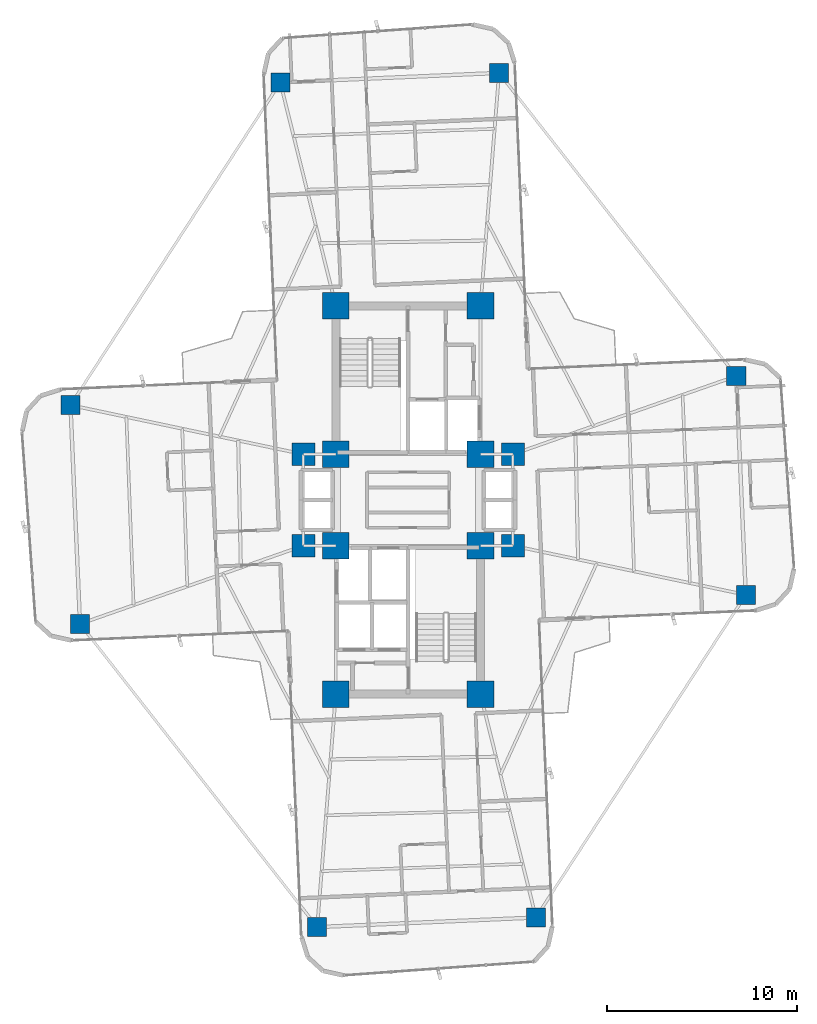
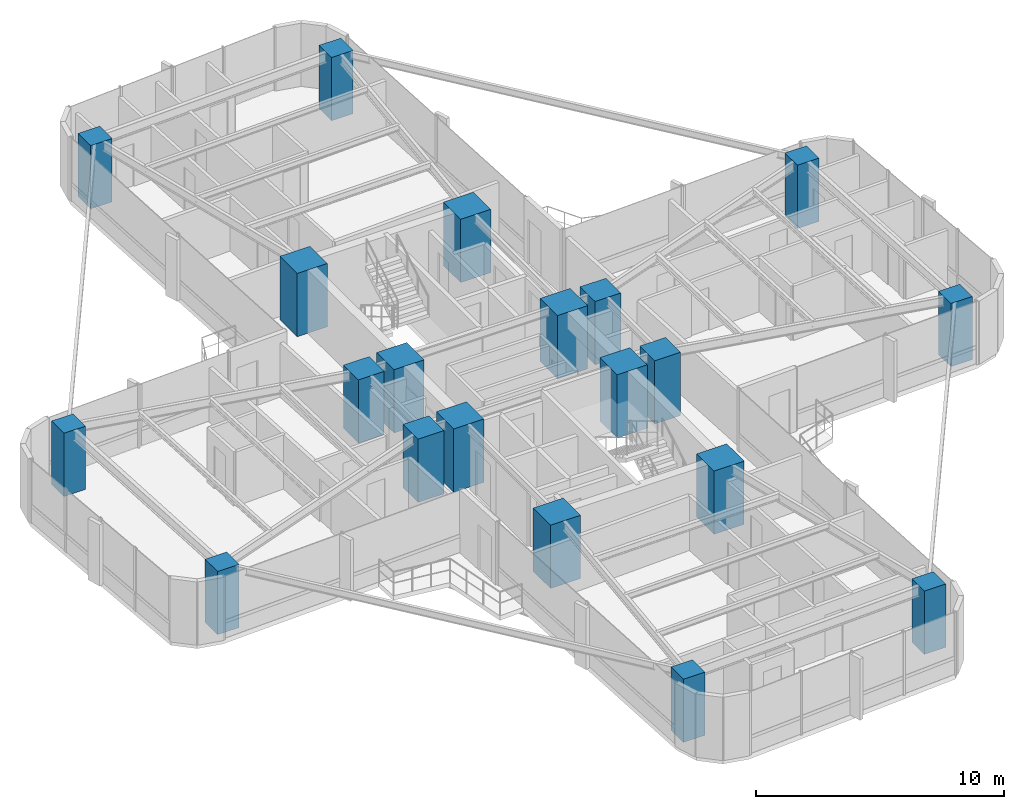
# One storey, part 1 of 26: 20 columns.
"""IFC4 building model written with IfcOpenShell, lengths in metres."""

from ifc_helpers import new_model, si_unit, direction, frame, origin, origin_2d, place, context, subcontext, project, spatial, rectangle, extrude, source, transform, mapped, material, material_profile, profile_set, type_object, element, save


model = new_model("IFC4")

# Units and contexts
model_context = context("Model", 3, precision=1e-05, world=origin(), true_north=direction((0.0, 1.0)))
body_context = subcontext(model_context, "Body", "Model", "MODEL_VIEW")
ifc_project = project(units=[si_unit("LENGTHUNIT", "METRE"), si_unit("AREAUNIT", "SQUARE_METRE"), si_unit("VOLUMEUNIT", "CUBIC_METRE"), si_unit("PLANEANGLEUNIT", "RADIAN"), si_unit("MASSUNIT", "GRAM", prefix="KILO")], contexts=[model_context])

# Site, building, storey
site_placement = place(None, origin())
site = spatial("IfcSite", under=ifc_project, at=site_placement, CompositionType="ELEMENT")
building_placement = place(site_placement, origin())
building = spatial("IfcBuilding", under=site, at=building_placement, Name="Sahyath Konkavel Grand Hotel", CompositionType="ELEMENT")
storey_placement = place(building_placement, frame((0.0, 0.0, 128.199951171875)))
storey = spatial("IfcBuildingStorey", under=building, at=storey_placement, Name="L35", CompositionType="ELEMENT", Elevation=128.199951171875)

# Columns
ifc_material_1 = material(Name="Concrete C70/85", Category="concrete")
ifc_material_profile_1 = material_profile(ifc_material_1, rectangle(XDim=1.39990234375, YDim=1.39990234375, at=origin_2d()), Name="RC 1400x1400")
ifc_profile_set_1 = profile_set([ifc_material_profile_1], Name="Concrete C70/85")
column_type_1 = type_object("IfcColumnType", Name="COL-RC1400", PredefinedType="COLUMN", material=ifc_profile_set_1)
shared_shape_1 = source(origin(), body_context, "Body", "SweptSolid", [
    extrude(rectangle(XDim=1.39990234375, YDim=1.39990234375, at=origin_2d()), origin(), (0.0, 0.0, 1.0), 3.110107421875),
])
for number, where, z_axis, x_axis, name in (
    (1, (-3.800048828125, 2.39990234375, 0.0), (0.0, 0.0, 1.0), (1.0, 0.0, 0.0), "L35 Core Boundary Column NC-SW"),
    (2, (3.800048828125, 2.39990234375, 0.0), (0.0, 0.0, 1.0), (1.0, 0.0, 0.0), "L35 Core Boundary Column NC-SE"),
    (3, (-3.800048828125, 10.199951171875, 0.0), (0.0, 0.0, 1.0), (1.0, 0.0, 0.0), "L35 Core Boundary Column NC-NW"),
    (4, (3.800048828125, 10.199951171875, 0.0), (0.0, 0.0, 1.0), (1.0, 0.0, 0.0), "L35 Core Boundary Column NC-NE"),
    (5, (-3.800048828125, -2.39990234375, 0.0), (0.0, 0.0, 1.0), (1.0, 0.0, 0.0), "L35 Core Boundary Column SC-NW"),
    (6, (3.800048828125, -2.39990234375, 0.0), (0.0, 0.0, 1.0), (1.0, 0.0, 0.0), "L35 Core Boundary Column SC-NE"),
    (7, (-3.800048828125, -10.199951171875, 0.0), (0.0, 0.0, 1.0), (1.0, 0.0, 0.0), "L35 Core Boundary Column SC-SW"),
    (8, (3.800048828125, -10.199951171875, 0.0), (0.0, 0.0, 1.0), (1.0, 0.0, 0.0), "L35 Core Boundary Column SC-SE"),
):
    element("IfcColumn", number, at=place(storey_placement, frame(where, z_axis=z_axis, x_axis=x_axis)), inside=storey, type_object=column_type_1, Name=name, PredefinedType="COLUMN", context=body_context, shape_type="MappedRepresentation", body=[
        mapped(shared_shape_1, transform((0.0, 0.0, 0.0), scale=1.0)),
    ])
ifc_material_2 = material(Name="Concrete C50/60", Category="concrete")
ifc_material_profile_2 = material_profile(ifc_material_2, rectangle(XDim=1.199951171875, YDim=1.199951171875, at=origin_2d()), Name="RC 1200x1200")
ifc_profile_set_2 = profile_set([ifc_material_profile_2], Name="Concrete C50/60")
column_type_2 = type_object("IfcColumnType", Name="COL-RC1200", PredefinedType="COLUMN", material=ifc_profile_set_2)
shared_shape_2 = source(origin(), body_context, "Body", "SweptSolid", [
    extrude(rectangle(XDim=1.199951171875, YDim=1.199951171875, at=origin_2d()), origin(), (0.0, 0.0, 1.0), 3.110107421875),
])
for number, where, z_axis, x_axis, name in (
    (9, (5.5, 2.39990234375, 0.0), (0.0, 0.0, 1.0), (1.0, 0.0, 0.0), "L35 Central Spine Column HB-NE"),
    (10, (-5.5, 2.39990234375, 0.0), (0.0, 0.0, 1.0), (1.0, 0.0, 0.0), "L35 Central Spine Column HB-NW"),
    (11, (5.5, -2.39990234375, 0.0), (0.0, 0.0, 1.0), (1.0, 0.0, 0.0), "L35 Central Spine Column HB-SE"),
    (12, (-5.5, -2.39990234375, 0.0), (0.0, 0.0, 1.0), (1.0, 0.0, 0.0), "L35 Central Spine Column HB-SW"),
):
    element("IfcColumn", number, at=place(storey_placement, frame(where, z_axis=z_axis, x_axis=x_axis)), inside=storey, type_object=column_type_2, Name=name, PredefinedType="COLUMN", context=body_context, shape_type="MappedRepresentation", body=[
        mapped(shared_shape_2, transform((0.0, 0.0, 0.0), scale=1.0)),
    ])
ifc_material_profile_3 = material_profile(ifc_material_2, rectangle(XDim=1.0, YDim=1.0, at=origin_2d()), Name="RC 1000x1000")
ifc_profile_set_3 = profile_set([ifc_material_profile_3], Name="Concrete C50/60")
column_type_3 = type_object("IfcColumnType", Name="COL-RC1000", PredefinedType="COLUMN", material=ifc_profile_set_3)
shared_shape_3 = source(origin(), body_context, "Body", "SweptSolid", [
    extrude(rectangle(XDim=1.0, YDim=1.0, at=origin_2d()), origin(), (0.0, 0.0, 1.0), 3.110107421875),
])
for number, where, z_axis, x_axis, name in (
    (13, (17.734130859375, -4.981201171875, 0.0), (0.0, 0.0, 1.0), (1.0, 0.0, 0.0), "L35 Cruciform Wing Column WC-EA"),
    (14, (17.232421875, 6.5078125, 0.0), (0.0, 0.0, 1.0), (1.0, 0.0, 0.0), "L35 Cruciform Wing Column WC-EB"),
    (15, (4.776123046875, 22.4296875, 0.0), (0.0, 0.0, 1.0), (1.0, 0.0, 0.0), "L35 Cruciform Wing Column WC-NA"),
    (16, (-6.712890625, 21.927978515625, 0.0), (0.0, 0.0, 1.0), (1.0, 0.0, 0.0), "L35 Cruciform Wing Column WC-NB"),
    (17, (-17.734130859375, 4.981201171875, 0.0), (0.0, 0.0, 1.0), (1.0, 0.0, 0.0), "L35 Cruciform Wing Column WC-WA"),
    (18, (-17.232421875, -6.5078125, 0.0), (0.0, 0.0, 1.0), (1.0, 0.0, 0.0), "L35 Cruciform Wing Column WC-WB"),
    (19, (-4.776123046875, -22.4296875, 0.0), (0.0, 0.0, 1.0), (1.0, 0.0, 0.0), "L35 Cruciform Wing Column WC-SA"),
    (20, (6.712890625, -21.927978515625, 0.0), (0.0, 0.0, 1.0), (1.0, 0.0, 0.0), "L35 Cruciform Wing Column WC-SB"),
):
    element("IfcColumn", number, at=place(storey_placement, frame(where, z_axis=z_axis, x_axis=x_axis)), inside=storey, type_object=column_type_3, Name=name, PredefinedType="COLUMN", context=body_context, shape_type="MappedRepresentation", body=[
        mapped(shared_shape_3, transform((0.0, 0.0, 0.0), scale=1.0)),
    ])

save(model, "model.ifc")
